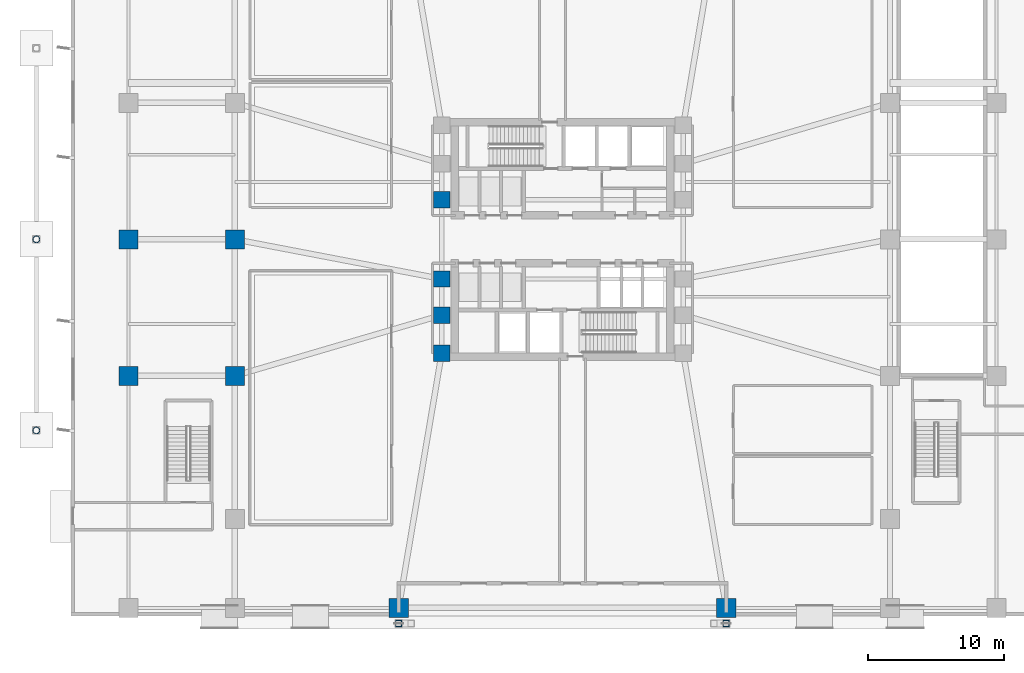
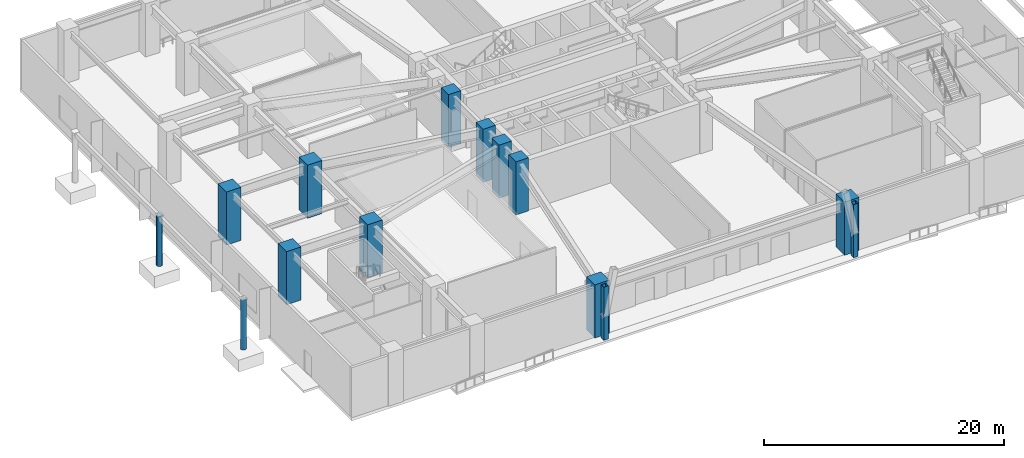
# One storey, part 2 of 20: 14 columns.
"""IFC4 building model written with IfcOpenShell, lengths in metres."""

from ifc_helpers import new_model, si_unit, direction, frame, origin, origin_2d, place, context, subcontext, project, spatial, rectangle, hollow_rectangle, hollow_circle, extrude, material, material_profile, profile_set, type_object, element, save


model = new_model("IFC4")

# Units and contexts
model_context = context("Model", 3, precision=1e-05, world=origin(), true_north=direction((0.0, 1.0)))
body_context = subcontext(model_context, "Body", "Model", "MODEL_VIEW")
ifc_project = project(units=[si_unit("LENGTHUNIT", "METRE"), si_unit("AREAUNIT", "SQUARE_METRE"), si_unit("VOLUMEUNIT", "CUBIC_METRE"), si_unit("PLANEANGLEUNIT", "RADIAN"), si_unit("MASSUNIT", "GRAM", prefix="KILO")], contexts=[model_context])

# Site, building, storey
site_placement = place(None, origin())
site = spatial("IfcSite", under=ifc_project, at=site_placement, CompositionType="ELEMENT")
building_placement = place(site_placement, origin())
building = spatial("IfcBuilding", under=site, at=building_placement, Name="Solmarez Civic Tower", CompositionType="ELEMENT")
storey_placement = place(building_placement, origin())
storey = spatial("IfcBuildingStorey", under=building, at=storey_placement, Name="L00", CompositionType="ELEMENT", Elevation=0.0)

# Columns
ifc_material_1 = material(Name="Steel S355", Category="steel")
ifc_material_profile_1 = material_profile(ifc_material_1, hollow_circle(Radius=0.25390625, WallThickness=0.02001953125, at=origin_2d()), Name="CHS508X20")
ifc_profile_set_1 = profile_set([ifc_material_profile_1], Name="Steel S355")
column_type_1 = type_object("IfcColumnType", Name="COL-CHS508", PredefinedType="COLUMN", material=ifc_profile_set_1)
for number, where, z_axis, x_axis, name in (
    (1, (-38.550048828125, -14.0, -0.300048828125), (0.0, 0.0, 1.0), (1.0, 0.0, 0.0), "L00 Plaza Canopy Column PF-W1"),
    (2, (-38.550048828125, 0.0, -0.300048828125), (0.0, 0.0, 1.0), (1.0, 0.0, 0.0), "L00 Plaza Canopy Column PF-W2"),
):
    element("IfcColumn", number, at=place(storey_placement, frame(where, z_axis=z_axis, x_axis=x_axis)), inside=storey, type_object=column_type_1, Name=name, PredefinedType="COLUMN", context=body_context, shape_type="SweptSolid", body=[
        extrude(hollow_circle(Radius=0.25390625, WallThickness=0.02001953125, at=origin_2d()), origin(), (0.0, 0.0, 1.0), 5.10009765625),
    ])
ifc_material_profile_2 = material_profile(ifc_material_1, hollow_rectangle(XDim=0.449951171875, YDim=0.449951171875, WallThickness=0.02197265625, at=origin_2d()), Name="HSS450X450X22")
ifc_profile_set_2 = profile_set([ifc_material_profile_2], Name="Steel S355")
column_type_2 = type_object("IfcColumnType", Name="COL-HSS450", PredefinedType="COLUMN", material=ifc_profile_set_2)
for number, where, z_axis, x_axis, name in (
    (3, (-12.0, -28.14990234375, 0.0), (0.0, 0.0, 1.0), (1.0, 0.0, 0.0), "L00 South Giant Civic Arch Pier W"),
    (4, (12.0, -28.14990234375, 0.0), (0.0, 0.0, 1.0), (1.0, 0.0, 0.0), "L00 South Giant Civic Arch Pier E"),
):
    element("IfcColumn", number, at=place(storey_placement, frame(where, z_axis=z_axis, x_axis=x_axis)), inside=storey, type_object=column_type_2, Name=name, PredefinedType="COLUMN", context=body_context, shape_type="SweptSolid", body=[
        extrude(hollow_rectangle(XDim=0.449951171875, YDim=0.449951171875, WallThickness=0.02197265625, at=origin_2d()), origin(), (0.0, 0.0, 1.0), 5.39990234375),
    ])
ifc_material_2 = material(Name="Concrete C60/75", Category="concrete")
ifc_material_profile_3 = material_profile(ifc_material_2, rectangle(XDim=1.199951171875, YDim=1.199951171875, at=origin_2d()), Name="RC1200X1200")
ifc_profile_set_3 = profile_set([ifc_material_profile_3], Name="Concrete C60/75")
column_type_3 = type_object("IfcColumnType", Name="COL-RC1200", PredefinedType="COLUMN", material=ifc_profile_set_3)
for number, where, z_axis, x_axis, name in (
    (5, (-8.85009765625, -5.550048828125, 0.0), (0.0, 0.0, 1.0), (1.0, 0.0, 0.0), "L00 Structural Column HC1"),
    (6, (-8.85009765625, -2.89990234375, 0.0), (0.0, 0.0, 1.0), (1.0, 0.0, 0.0), "L00 Structural Column HC2"),
    (7, (-8.85009765625, 2.89990234375, 0.0), (0.0, 0.0, 1.0), (1.0, 0.0, 0.0), "L00 Structural Column HC3"),
    (8, (-8.85009765625, -8.35009765625, 0.0), (0.0, 0.0, 1.0), (1.0, 0.0, 0.0), "L00 Structural Column HC12"),
):
    element("IfcColumn", number, at=place(storey_placement, frame(where, z_axis=z_axis, x_axis=x_axis)), inside=storey, type_object=column_type_3, Name=name, PredefinedType="COLUMN", context=body_context, shape_type="SweptSolid", body=[
        extrude(rectangle(XDim=1.199951171875, YDim=1.199951171875, at=origin_2d()), origin(), (0.0, 0.0, 1.0), 5.39990234375),
    ])
ifc_material_profile_4 = material_profile(ifc_material_2, rectangle(XDim=1.39990234375, YDim=1.39990234375, at=origin_2d()), Name="RC1400X1400")
ifc_profile_set_4 = profile_set([ifc_material_profile_4], Name="Concrete C60/75")
column_type_4 = type_object("IfcColumnType", Name="COL-RC1400", PredefinedType="COLUMN", material=ifc_profile_set_4)
for number, where, z_axis, x_axis, name in (
    (9, (-12.0, -27.0, 0.0), (0.0, 0.0, 1.0), (1.0, 0.0, 0.0), "L00 Structural Column PC03"),
    (10, (12.0, -27.0, 0.0), (0.0, 0.0, 1.0), (1.0, 0.0, 0.0), "L00 Structural Column PC04"),
    (11, (-31.800048828125, -10.0, 0.0), (0.0, 0.0, 1.0), (1.0, 0.0, 0.0), "L00 Structural Column PC13"),
    (12, (-31.800048828125, 0.0, 0.0), (0.0, 0.0, 1.0), (1.0, 0.0, 0.0), "L00 Structural Column PC14"),
    (13, (-24.0, -10.0, 0.0), (0.0, 0.0, 1.0), (1.0, 0.0, 0.0), "L00 Structural Column PC19"),
    (14, (-24.0, 0.0, 0.0), (0.0, 0.0, 1.0), (1.0, 0.0, 0.0), "L00 Structural Column PC20"),
):
    element("IfcColumn", number, at=place(storey_placement, frame(where, z_axis=z_axis, x_axis=x_axis)), inside=storey, type_object=column_type_4, Name=name, PredefinedType="COLUMN", context=body_context, shape_type="SweptSolid", body=[
        extrude(rectangle(XDim=1.39990234375, YDim=1.39990234375, at=origin_2d()), origin(), (0.0, 0.0, 1.0), 5.39990234375),
    ])

save(model, "model.ifc")
